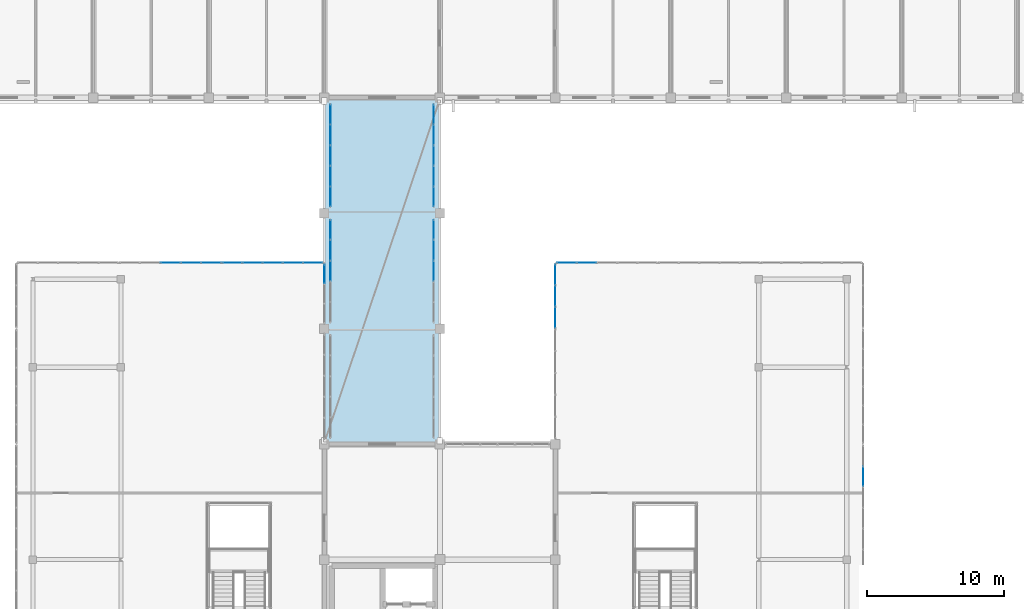
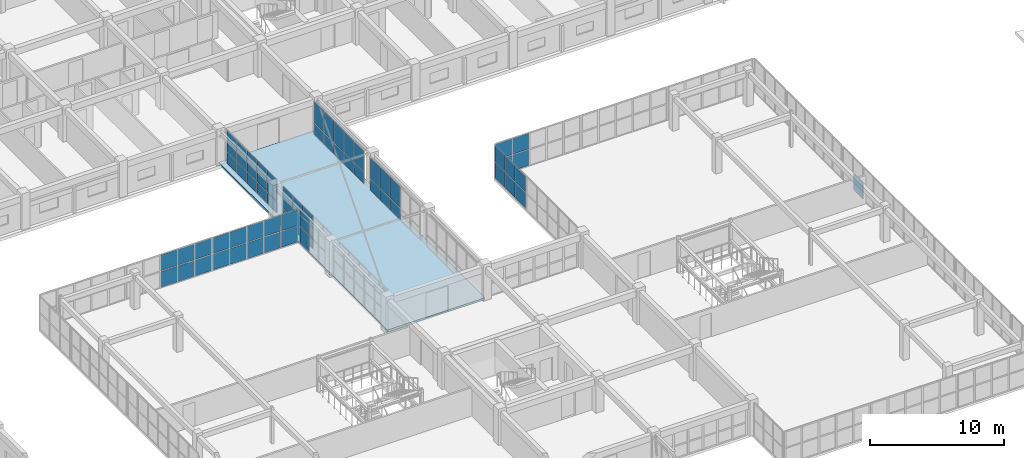
# One storey, part 105 of 148: 61 plates, 1 slab, 10 elements without a shape of their own.
"""IFC4 building model written with IfcOpenShell, lengths in metres."""

from ifc_helpers import new_model, si_unit, direction, frame, origin, origin_2d, place, context, subcontext, project, spatial, polyline, rectangle, outline, extrude, material, layer, layer_set, type_object, element, aggregate, save


model = new_model("IFC4")

# Units and contexts
model_context = context("Model", 3, precision=1e-05, world=origin(), true_north=direction((0.0, 1.0)))
body_context = subcontext(model_context, "Body", "Model", "MODEL_VIEW")
ifc_project = project(units=[si_unit("LENGTHUNIT", "METRE"), si_unit("AREAUNIT", "SQUARE_METRE"), si_unit("VOLUMEUNIT", "CUBIC_METRE"), si_unit("PLANEANGLEUNIT", "RADIAN"), si_unit("MASSUNIT", "GRAM", prefix="KILO")], contexts=[model_context])

# Site, building, storey
site_placement = place(None, origin())
site = spatial("IfcSite", under=ifc_project, at=site_placement, CompositionType="ELEMENT")
building_placement = place(site_placement, origin())
building = spatial("IfcBuilding", under=site, at=building_placement, Name="Trelvath General Hospital", CompositionType="ELEMENT")
storey_placement = place(building_placement, frame((0.0, 0.0, 12.89990234375)))
storey = spatial("IfcBuildingStorey", under=building, at=storey_placement, Name="L03", CompositionType="ELEMENT", Elevation=12.89990234375)

# Slab
ifc_material_1 = material(Name="Concrete C35/45", Category="concrete")
ifc_layer_1 = layer(ifc_material_1, 0.18994140625)
ifc_layer_set_1 = layer_set([ifc_layer_1], Name="Concrete C35/45")
slab_type = type_object("IfcSlabType", Name="BridgeDeck 190", PredefinedType="FLOOR", material=ifc_layer_set_1)
slab_placement = place(storey_placement, frame((0.0, 0.0, -0.18994140625)))
element("IfcSlab", 1, at=slab_placement, inside=storey, type_object=slab_type, Name="Courtyard Bridge Deck BRG-N-C L03", PredefinedType="FLOOR", context=body_context, shape_type="SweptSolid", body=[
    extrude(outline(polyline([(75.60009765625, 67.199951171875), (84.0, 67.199951171875), (84.0, 92.39990234375), (75.60009765625, 92.39990234375), (75.60009765625, 67.199951171875)])), origin(), (0.0, 0.0, 1.0), 0.18994140625),
])

# Curtain wall, plates
ifc_material_2 = material(Name="Anodised aluminium and low-E glass", Category="aluminium")
ifc_layer_2 = layer(ifc_material_2, 0.14990234375)
ifc_layer_set_2 = layer_set([ifc_layer_2], Name="Anodised aluminium and low-E glass")
curtain_wall_type_1 = type_object("IfcCurtainWallType", Name="CW CrystalCube 743 306 15", PredefinedType="USERDEFINED", material=ifc_layer_set_2)
curtain_wall_1_placement = place(storey_placement, origin())
curtain_wall_1 = element("IfcCurtainWall", 2, at=curtain_wall_1_placement, inside=storey, type_object=curtain_wall_type_1, Name="Crystal Cube Curtain Wall CUBE-W-T1 N2 L03", ObjectType="Unitised Glazed Curtain Wall", PredefinedType="USERDEFINED")
ifc_material_3 = material(Name="Low-E laminated glass", Category="glass")
ifc_layer_3 = layer(ifc_material_3, 0.028076171875)
ifc_layer_set_3 = layer_set([ifc_layer_3], Name="Low-E laminated glass")
plate_type = type_object("IfcPlateType", Name="CurtainPanel Glass28", PredefinedType="CURTAIN_PANEL", material=ifc_layer_set_3)
plate_1_placement = place(storey_placement, frame((64.39990234375, 80.39990234375, 0.06005859375), z_axis=(0.0, 0.0, 1.0), x_axis=(1.0, 0.0, 0.0)))
plate_1 = element("IfcPlate", 3, at=plate_1_placement, type_object=plate_type, Name="CW-234 panel 3.1", PredefinedType="CURTAIN_PANEL", context=body_context, shape_type="SweptSolid", body=[
    extrude(rectangle(XDim=1.42529296875, YDim=0.028076171875, at=origin_2d()), origin(), (0.0, 0.0, 1.0), 1.43994140625),
])
plate_2_placement = place(storey_placement, frame((64.39990234375, 80.39990234375, 1.56005859375), z_axis=(0.0, 0.0, 1.0), x_axis=(1.0, 0.0, 0.0)))
plate_2 = element("IfcPlate", 4, at=plate_2_placement, type_object=plate_type, Name="CW-234 panel 3.2", PredefinedType="CURTAIN_PANEL", context=body_context, shape_type="SweptSolid", body=[
    extrude(rectangle(XDim=1.42529296875, YDim=0.028076171875, at=origin_2d()), origin(), (0.0, 0.0, 1.0), 1.43994140625),
])
plate_3_placement = place(storey_placement, frame((65.88525390625, 80.39990234375, 0.06005859375), z_axis=(0.0, 0.0, 1.0), x_axis=(1.0, 0.0, 0.0)))
plate_3 = element("IfcPlate", 5, at=plate_3_placement, type_object=plate_type, Name="CW-234 panel 4.1", PredefinedType="CURTAIN_PANEL", context=body_context, shape_type="SweptSolid", body=[
    extrude(rectangle(XDim=1.42529296875, YDim=0.028076171875, at=origin_2d()), origin(), (0.0, 0.0, 1.0), 1.43994140625),
])
plate_4_placement = place(storey_placement, frame((65.88525390625, 80.39990234375, 1.56005859375), z_axis=(0.0, 0.0, 1.0), x_axis=(1.0, 0.0, 0.0)))
plate_4 = element("IfcPlate", 6, at=plate_4_placement, type_object=plate_type, Name="CW-234 panel 4.2", PredefinedType="CURTAIN_PANEL", context=body_context, shape_type="SweptSolid", body=[
    extrude(rectangle(XDim=1.42529296875, YDim=0.028076171875, at=origin_2d()), origin(), (0.0, 0.0, 1.0), 1.43994140625),
])
plate_5_placement = place(storey_placement, frame((67.355712890625, 80.39990234375, 0.06005859375), z_axis=(0.0, 0.0, 1.0), x_axis=(1.0, 0.0, 0.0)))
plate_5 = element("IfcPlate", 7, at=plate_5_placement, type_object=plate_type, Name="CW-234 panel 5.1", PredefinedType="CURTAIN_PANEL", context=body_context, shape_type="SweptSolid", body=[
    extrude(rectangle(XDim=1.395263671875, YDim=0.028076171875, at=origin_2d()), origin(), (0.0, 0.0, 1.0), 1.43994140625),
])
plate_6_placement = place(storey_placement, frame((67.355712890625, 80.39990234375, 1.56005859375), z_axis=(0.0, 0.0, 1.0), x_axis=(1.0, 0.0, 0.0)))
plate_6 = element("IfcPlate", 8, at=plate_6_placement, type_object=plate_type, Name="CW-234 panel 5.2", PredefinedType="CURTAIN_PANEL", context=body_context, shape_type="SweptSolid", body=[
    extrude(rectangle(XDim=1.395263671875, YDim=0.028076171875, at=origin_2d()), origin(), (0.0, 0.0, 1.0), 1.43994140625),
])
aggregate(curtain_wall_1, [plate_1, plate_2, plate_3, plate_4, plate_5, plate_6])

ifc_material_4 = material(Name="Anodised aluminium and low-E glass", Category="aluminium")
ifc_layer_4 = layer(ifc_material_4, 0.14990234375)
ifc_layer_set_4 = layer_set([ifc_layer_4], Name="Anodised aluminium and low-E glass")
curtain_wall_type_2 = type_object("IfcCurtainWallType", Name="CW CrystalCube 737 306 15", PredefinedType="USERDEFINED", material=ifc_layer_set_4)
curtain_wall_2_placement = place(storey_placement, origin())
curtain_wall_2 = element("IfcCurtainWall", 9, at=curtain_wall_2_placement, inside=storey, type_object=curtain_wall_type_2, Name="Crystal Cube Curtain Wall CUBE-W-T1 N3 L03", ObjectType="Unitised Glazed Curtain Wall", PredefinedType="USERDEFINED")
plate_7_placement = place(storey_placement, frame((68.905029296875, 80.39990234375, 0.06005859375), z_axis=(0.0, 0.0, 1.0), x_axis=(1.0, 0.0, 0.0)))
plate_7 = element("IfcPlate", 10, at=plate_7_placement, type_object=plate_type, Name="CW-235 panel 1.1", PredefinedType="CURTAIN_PANEL", context=body_context, shape_type="SweptSolid", body=[
    extrude(rectangle(XDim=1.38330078125, YDim=0.028076171875, at=origin_2d()), origin(), (0.0, 0.0, 1.0), 1.43994140625),
])
plate_8_placement = place(storey_placement, frame((68.905029296875, 80.39990234375, 1.56005859375), z_axis=(0.0, 0.0, 1.0), x_axis=(1.0, 0.0, 0.0)))
plate_8 = element("IfcPlate", 11, at=plate_8_placement, type_object=plate_type, Name="CW-235 panel 1.2", PredefinedType="CURTAIN_PANEL", context=body_context, shape_type="SweptSolid", body=[
    extrude(rectangle(XDim=1.38330078125, YDim=0.028076171875, at=origin_2d()), origin(), (0.0, 0.0, 1.0), 1.43994140625),
])
plate_9_placement = place(storey_placement, frame((70.36328125, 80.39990234375, 0.06005859375), z_axis=(0.0, 0.0, 1.0), x_axis=(1.0, 0.0, 0.0)))
plate_9 = element("IfcPlate", 12, at=plate_9_placement, type_object=plate_type, Name="CW-235 panel 2.1", PredefinedType="CURTAIN_PANEL", context=body_context, shape_type="SweptSolid", body=[
    extrude(rectangle(XDim=1.413330078125, YDim=0.028076171875, at=origin_2d()), origin(), (0.0, 0.0, 1.0), 1.43994140625),
])
plate_10_placement = place(storey_placement, frame((70.36328125, 80.39990234375, 1.56005859375), z_axis=(0.0, 0.0, 1.0), x_axis=(1.0, 0.0, 0.0)))
plate_10 = element("IfcPlate", 13, at=plate_10_placement, type_object=plate_type, Name="CW-235 panel 2.2", PredefinedType="CURTAIN_PANEL", context=body_context, shape_type="SweptSolid", body=[
    extrude(rectangle(XDim=1.413330078125, YDim=0.028076171875, at=origin_2d()), origin(), (0.0, 0.0, 1.0), 1.43994140625),
])
plate_11_placement = place(storey_placement, frame((71.836669921875, 80.39990234375, 0.06005859375), z_axis=(0.0, 0.0, 1.0), x_axis=(1.0, 0.0, 0.0)))
plate_11 = element("IfcPlate", 14, at=plate_11_placement, type_object=plate_type, Name="CW-235 panel 3.1", PredefinedType="CURTAIN_PANEL", context=body_context, shape_type="SweptSolid", body=[
    extrude(rectangle(XDim=1.413330078125, YDim=0.028076171875, at=origin_2d()), origin(), (0.0, 0.0, 1.0), 1.43994140625),
])
plate_12_placement = place(storey_placement, frame((71.836669921875, 80.39990234375, 1.56005859375), z_axis=(0.0, 0.0, 1.0), x_axis=(1.0, 0.0, 0.0)))
plate_12 = element("IfcPlate", 15, at=plate_12_placement, type_object=plate_type, Name="CW-235 panel 3.2", PredefinedType="CURTAIN_PANEL", context=body_context, shape_type="SweptSolid", body=[
    extrude(rectangle(XDim=1.413330078125, YDim=0.028076171875, at=origin_2d()), origin(), (0.0, 0.0, 1.0), 1.43994140625),
])
plate_13_placement = place(storey_placement, frame((73.31005859375, 80.39990234375, 0.06005859375), z_axis=(0.0, 0.0, 1.0), x_axis=(1.0, 0.0, 0.0)))
plate_13 = element("IfcPlate", 16, at=plate_13_placement, type_object=plate_type, Name="CW-235 panel 4.1", PredefinedType="CURTAIN_PANEL", context=body_context, shape_type="SweptSolid", body=[
    extrude(rectangle(XDim=1.413330078125, YDim=0.028076171875, at=origin_2d()), origin(), (0.0, 0.0, 1.0), 1.43994140625),
])
plate_14_placement = place(storey_placement, frame((73.31005859375, 80.39990234375, 1.56005859375), z_axis=(0.0, 0.0, 1.0), x_axis=(1.0, 0.0, 0.0)))
plate_14 = element("IfcPlate", 17, at=plate_14_placement, type_object=plate_type, Name="CW-235 panel 4.2", PredefinedType="CURTAIN_PANEL", context=body_context, shape_type="SweptSolid", body=[
    extrude(rectangle(XDim=1.413330078125, YDim=0.028076171875, at=origin_2d()), origin(), (0.0, 0.0, 1.0), 1.43994140625),
])
plate_15_placement = place(storey_placement, frame((74.768310546875, 80.39990234375, 0.06005859375), z_axis=(0.0, 0.0, 1.0), x_axis=(1.0, 0.0, 0.0)))
plate_15 = element("IfcPlate", 18, at=plate_15_placement, type_object=plate_type, Name="CW-235 panel 5.1", PredefinedType="CURTAIN_PANEL", context=body_context, shape_type="SweptSolid", body=[
    extrude(rectangle(XDim=1.38330078125, YDim=0.028076171875, at=origin_2d()), origin(), (0.0, 0.0, 1.0), 1.43994140625),
])
plate_16_placement = place(storey_placement, frame((74.768310546875, 80.39990234375, 1.56005859375), z_axis=(0.0, 0.0, 1.0), x_axis=(1.0, 0.0, 0.0)))
plate_16 = element("IfcPlate", 19, at=plate_16_placement, type_object=plate_type, Name="CW-235 panel 5.2", PredefinedType="CURTAIN_PANEL", context=body_context, shape_type="SweptSolid", body=[
    extrude(rectangle(XDim=1.38330078125, YDim=0.028076171875, at=origin_2d()), origin(), (0.0, 0.0, 1.0), 1.43994140625),
])
aggregate(curtain_wall_2, [plate_7, plate_8, plate_9, plate_10, plate_11, plate_12, plate_13, plate_14, plate_15, plate_16])

ifc_material_5 = material(Name="Anodised aluminium and low-E glass", Category="aluminium")
ifc_layer_5 = layer(ifc_material_5, 0.14990234375)
ifc_layer_set_5 = layer_set([ifc_layer_5], Name="Anodised aluminium and low-E glass")
curtain_wall_type_3 = type_object("IfcCurtainWallType", Name="CW CrystalCube 434 306 15", PredefinedType="USERDEFINED", material=ifc_layer_set_5)
curtain_wall_3_placement = place(storey_placement, origin())
curtain_wall_3 = element("IfcCurtainWall", 20, at=curtain_wall_3_placement, inside=storey, type_object=curtain_wall_type_3, Name="Crystal Cube Curtain Wall CUBE-W-T1 E5 L03", ObjectType="Unitised Glazed Curtain Wall", PredefinedType="USERDEFINED")
plate_17_placement = place(storey_placement, frame((75.60009765625, 79.581787109375, 0.06005859375), z_axis=(0.0, 0.0, 1.0), x_axis=(0.0, -1.0, 0.0)))
plate_17 = element("IfcPlate", 21, at=plate_17_placement, type_object=plate_type, Name="CW-243 panel 1.1", PredefinedType="CURTAIN_PANEL", context=body_context, shape_type="SweptSolid", body=[
    extrude(rectangle(XDim=1.356689453125, YDim=0.028076171875, at=origin_2d()), origin(), (0.0, 0.0, 1.0), 1.43994140625),
])
plate_18_placement = place(storey_placement, frame((75.60009765625, 79.581787109375, 1.56005859375), z_axis=(0.0, 0.0, 1.0), x_axis=(0.0, -1.0, 0.0)))
plate_18 = element("IfcPlate", 22, at=plate_18_placement, type_object=plate_type, Name="CW-243 panel 1.2", PredefinedType="CURTAIN_PANEL", context=body_context, shape_type="SweptSolid", body=[
    extrude(rectangle(XDim=1.356689453125, YDim=0.028076171875, at=origin_2d()), origin(), (0.0, 0.0, 1.0), 1.43994140625),
])
aggregate(curtain_wall_3, [plate_17, plate_18])

curtain_wall_4_placement = place(storey_placement, origin())
curtain_wall_4 = element("IfcCurtainWall", 23, at=curtain_wall_4_placement, inside=storey, type_object=curtain_wall_type_2, Name="Crystal Cube Curtain Wall CUBE-E-T1 N1 L03", ObjectType="Unitised Glazed Curtain Wall", PredefinedType="USERDEFINED")
plate_19_placement = place(storey_placement, frame((93.231689453125, 80.39990234375, 0.06005859375), z_axis=(0.0, 0.0, 1.0), x_axis=(1.0, 0.0, 0.0)))
plate_19 = element("IfcPlate", 24, at=plate_19_placement, type_object=plate_type, Name="CW-247 panel 1.1", PredefinedType="CURTAIN_PANEL", context=body_context, shape_type="SweptSolid", body=[
    extrude(rectangle(XDim=1.38330078125, YDim=0.028076171875, at=origin_2d()), origin(), (0.0, 0.0, 1.0), 1.43994140625),
])
plate_20_placement = place(storey_placement, frame((93.231689453125, 80.39990234375, 1.56005859375), z_axis=(0.0, 0.0, 1.0), x_axis=(1.0, 0.0, 0.0)))
plate_20 = element("IfcPlate", 25, at=plate_20_placement, type_object=plate_type, Name="CW-247 panel 1.2", PredefinedType="CURTAIN_PANEL", context=body_context, shape_type="SweptSolid", body=[
    extrude(rectangle(XDim=1.38330078125, YDim=0.028076171875, at=origin_2d()), origin(), (0.0, 0.0, 1.0), 1.43994140625),
])
plate_21_placement = place(storey_placement, frame((94.68994140625, 80.39990234375, 0.06005859375), z_axis=(0.0, 0.0, 1.0), x_axis=(1.0, 0.0, 0.0)))
plate_21 = element("IfcPlate", 26, at=plate_21_placement, type_object=plate_type, Name="CW-247 panel 2.1", PredefinedType="CURTAIN_PANEL", context=body_context, shape_type="SweptSolid", body=[
    extrude(rectangle(XDim=1.413330078125, YDim=0.028076171875, at=origin_2d()), origin(), (0.0, 0.0, 1.0), 1.43994140625),
])
plate_22_placement = place(storey_placement, frame((94.68994140625, 80.39990234375, 1.56005859375), z_axis=(0.0, 0.0, 1.0), x_axis=(1.0, 0.0, 0.0)))
plate_22 = element("IfcPlate", 27, at=plate_22_placement, type_object=plate_type, Name="CW-247 panel 2.2", PredefinedType="CURTAIN_PANEL", context=body_context, shape_type="SweptSolid", body=[
    extrude(rectangle(XDim=1.413330078125, YDim=0.028076171875, at=origin_2d()), origin(), (0.0, 0.0, 1.0), 1.43994140625),
])
aggregate(curtain_wall_4, [plate_19, plate_20, plate_21, plate_22])

# Curtain wall, plate
ifc_material_6 = material(Name="Anodised aluminium and low-E glass", Category="aluminium")
ifc_layer_6 = layer(ifc_material_6, 0.14990234375)
ifc_layer_set_6 = layer_set([ifc_layer_6], Name="Anodised aluminium and low-E glass")
curtain_wall_type_4 = type_object("IfcCurtainWallType", Name="CW CrystalCube 1664 306 15", PredefinedType="USERDEFINED", material=ifc_layer_set_6)
curtain_wall_5_placement = place(storey_placement, origin())
curtain_wall_5 = element("IfcCurtainWall", 28, at=curtain_wall_5_placement, inside=storey, type_object=curtain_wall_type_4, Name="Crystal Cube Curtain Wall CUBE-E-T1 E3 L03", ObjectType="Unitised Glazed Curtain Wall", PredefinedType="USERDEFINED")
plate_23_placement = place(storey_placement, frame((114.800048828125, 64.850830078125, 0.06005859375), z_axis=(0.0, 0.0, 1.0), x_axis=(0.0, -1.0, 0.0)))
plate_23 = element("IfcPlate", 29, at=plate_23_placement, type_object=plate_type, Name="CW-253 panel 2.1", PredefinedType="CURTAIN_PANEL", context=body_context, shape_type="SweptSolid", body=[
    extrude(rectangle(XDim=1.45263671875, YDim=0.028076171875, at=origin_2d()), origin(), (0.0, 0.0, 1.0), 1.43994140625),
])
aggregate(curtain_wall_5, [plate_23])

# Curtain wall, plates
ifc_material_7 = material(Name="Anodised aluminium and low-E glass", Category="aluminium")
ifc_layer_7 = layer(ifc_material_7, 0.14990234375)
ifc_layer_set_7 = layer_set([ifc_layer_7], Name="Anodised aluminium and low-E glass")
curtain_wall_type_5 = type_object("IfcCurtainWallType", Name="CW CrystalCube 470 306 15", PredefinedType="USERDEFINED", material=ifc_layer_set_7)
curtain_wall_6_placement = place(storey_placement, origin())
curtain_wall_6 = element("IfcCurtainWall", 30, at=curtain_wall_6_placement, inside=storey, type_object=curtain_wall_type_5, Name="Crystal Cube Curtain Wall CUBE-E-T1 W5 L03", ObjectType="Unitised Glazed Curtain Wall", PredefinedType="USERDEFINED")
plate_24_placement = place(storey_placement, frame((92.39990234375, 76.418212890625, 0.06005859375), z_axis=(0.0, 0.0, 1.0), x_axis=(0.0, 1.0, 0.0)))
plate_24 = element("IfcPlate", 31, at=plate_24_placement, type_object=plate_type, Name="CW-257 panel 1.1", PredefinedType="CURTAIN_PANEL", context=body_context, shape_type="SweptSolid", body=[
    extrude(rectangle(XDim=1.4765625, YDim=0.028076171875, at=origin_2d()), origin(), (0.0, 0.0, 1.0), 1.43994140625),
])
plate_25_placement = place(storey_placement, frame((92.39990234375, 76.418212890625, 1.56005859375), z_axis=(0.0, 0.0, 1.0), x_axis=(0.0, 1.0, 0.0)))
plate_25 = element("IfcPlate", 32, at=plate_25_placement, type_object=plate_type, Name="CW-257 panel 1.2", PredefinedType="CURTAIN_PANEL", context=body_context, shape_type="SweptSolid", body=[
    extrude(rectangle(XDim=1.4765625, YDim=0.028076171875, at=origin_2d()), origin(), (0.0, 0.0, 1.0), 1.43994140625),
])
plate_26_placement = place(storey_placement, frame((92.39990234375, 77.969970703125, 0.06005859375), z_axis=(0.0, 0.0, 1.0), x_axis=(0.0, 1.0, 0.0)))
plate_26 = element("IfcPlate", 33, at=plate_26_placement, type_object=plate_type, Name="CW-257 panel 2.1", PredefinedType="CURTAIN_PANEL", context=body_context, shape_type="SweptSolid", body=[
    extrude(rectangle(XDim=1.506591796875, YDim=0.028076171875, at=origin_2d()), origin(), (0.0, 0.0, 1.0), 1.43994140625),
])
plate_27_placement = place(storey_placement, frame((92.39990234375, 77.969970703125, 1.56005859375), z_axis=(0.0, 0.0, 1.0), x_axis=(0.0, 1.0, 0.0)))
plate_27 = element("IfcPlate", 34, at=plate_27_placement, type_object=plate_type, Name="CW-257 panel 2.2", PredefinedType="CURTAIN_PANEL", context=body_context, shape_type="SweptSolid", body=[
    extrude(rectangle(XDim=1.506591796875, YDim=0.028076171875, at=origin_2d()), origin(), (0.0, 0.0, 1.0), 1.43994140625),
])
plate_28_placement = place(storey_placement, frame((92.39990234375, 79.521728515625, 0.06005859375), z_axis=(0.0, 0.0, 1.0), x_axis=(0.0, 1.0, 0.0)))
plate_28 = element("IfcPlate", 35, at=plate_28_placement, type_object=plate_type, Name="CW-257 panel 3.1", PredefinedType="CURTAIN_PANEL", context=body_context, shape_type="SweptSolid", body=[
    extrude(rectangle(XDim=1.4765625, YDim=0.028076171875, at=origin_2d()), origin(), (0.0, 0.0, 1.0), 1.43994140625),
])
plate_29_placement = place(storey_placement, frame((92.39990234375, 79.521728515625, 1.56005859375), z_axis=(0.0, 0.0, 1.0), x_axis=(0.0, 1.0, 0.0)))
plate_29 = element("IfcPlate", 36, at=plate_29_placement, type_object=plate_type, Name="CW-257 panel 3.2", PredefinedType="CURTAIN_PANEL", context=body_context, shape_type="SweptSolid", body=[
    extrude(rectangle(XDim=1.4765625, YDim=0.028076171875, at=origin_2d()), origin(), (0.0, 0.0, 1.0), 1.43994140625),
])
aggregate(curtain_wall_6, [plate_24, plate_25, plate_26, plate_27, plate_28, plate_29])

ifc_material_8 = material(Name="Anodised aluminium and low-E glass", Category="aluminium")
ifc_layer_8 = layer(ifc_material_8, 0.139892578125)
ifc_layer_set_8 = layer_set([ifc_layer_8], Name="Anodised aluminium and low-E glass")
curtain_wall_type_6 = type_object("IfcCurtainWallType", Name="CW Bridge 752 311", PredefinedType="USERDEFINED", material=ifc_layer_set_8)
curtain_wall_7_placement = place(storey_placement, origin())
curtain_wall_7 = element("IfcCurtainWall", 37, at=curtain_wall_7_placement, inside=storey, type_object=curtain_wall_type_6, Name="Glazed Bridge Curtain Wall BRG-N-C W L03", ObjectType="Unitised Glazed Curtain Wall", PredefinedType="USERDEFINED")
plate_30_placement = place(storey_placement, frame((76.0400390625, 79.800048828125, 0.06005859375), z_axis=(0.0, 0.0, 1.0), x_axis=(0.0, 1.0, 0.0)))
plate_30 = element("IfcPlate", 38, at=plate_30_placement, type_object=plate_type, Name="CW-260 panel 3.1", PredefinedType="CURTAIN_PANEL", context=body_context, shape_type="SweptSolid", body=[
    extrude(rectangle(XDim=1.444091796875, YDim=0.028076171875, at=origin_2d()), origin(), (0.0, 0.0, 1.0), 1.010009765625),
])
plate_31_placement = place(storey_placement, frame((76.0400390625, 79.800048828125, 1.130126953125), z_axis=(0.0, 0.0, 1.0), x_axis=(0.0, 1.0, 0.0)))
plate_31 = element("IfcPlate", 39, at=plate_31_placement, type_object=plate_type, Name="CW-260 panel 3.2", PredefinedType="CURTAIN_PANEL", context=body_context, shape_type="SweptSolid", body=[
    extrude(rectangle(XDim=1.444091796875, YDim=0.028076171875, at=origin_2d()), origin(), (0.0, 0.0, 1.0), 1.919921875),
])
plate_32_placement = place(storey_placement, frame((76.0400390625, 81.303955078125, 0.06005859375), z_axis=(0.0, 0.0, 1.0), x_axis=(0.0, 1.0, 0.0)))
plate_32 = element("IfcPlate", 40, at=plate_32_placement, type_object=plate_type, Name="CW-260 panel 4.1", PredefinedType="CURTAIN_PANEL", context=body_context, shape_type="SweptSolid", body=[
    extrude(rectangle(XDim=1.444091796875, YDim=0.028076171875, at=origin_2d()), origin(), (0.0, 0.0, 1.0), 1.010009765625),
])
plate_33_placement = place(storey_placement, frame((76.0400390625, 81.303955078125, 1.130126953125), z_axis=(0.0, 0.0, 1.0), x_axis=(0.0, 1.0, 0.0)))
plate_33 = element("IfcPlate", 41, at=plate_33_placement, type_object=plate_type, Name="CW-260 panel 4.2", PredefinedType="CURTAIN_PANEL", context=body_context, shape_type="SweptSolid", body=[
    extrude(rectangle(XDim=1.444091796875, YDim=0.028076171875, at=origin_2d()), origin(), (0.0, 0.0, 1.0), 1.919921875),
])
plate_34_placement = place(storey_placement, frame((76.0400390625, 82.79296875, 0.06005859375), z_axis=(0.0, 0.0, 1.0), x_axis=(0.0, 1.0, 0.0)))
plate_34 = element("IfcPlate", 42, at=plate_34_placement, type_object=plate_type, Name="CW-260 panel 5.1", PredefinedType="CURTAIN_PANEL", context=body_context, shape_type="SweptSolid", body=[
    extrude(rectangle(XDim=1.4140625, YDim=0.028076171875, at=origin_2d()), origin(), (0.0, 0.0, 1.0), 1.010009765625),
])
plate_35_placement = place(storey_placement, frame((76.0400390625, 82.79296875, 1.130126953125), z_axis=(0.0, 0.0, 1.0), x_axis=(0.0, 1.0, 0.0)))
plate_35 = element("IfcPlate", 43, at=plate_35_placement, type_object=plate_type, Name="CW-260 panel 5.2", PredefinedType="CURTAIN_PANEL", context=body_context, shape_type="SweptSolid", body=[
    extrude(rectangle(XDim=1.4140625, YDim=0.028076171875, at=origin_2d()), origin(), (0.0, 0.0, 1.0), 1.919921875),
])
aggregate(curtain_wall_7, [plate_30, plate_31, plate_32, plate_33, plate_34, plate_35])

curtain_wall_8_placement = place(storey_placement, origin())
curtain_wall_8 = element("IfcCurtainWall", 44, at=curtain_wall_8_placement, inside=storey, type_object=curtain_wall_type_6, Name="Glazed Bridge Curtain Wall BRG-N-C E L03", ObjectType="Unitised Glazed Curtain Wall", PredefinedType="USERDEFINED")
plate_36_placement = place(storey_placement, frame((83.56005859375, 82.79296875, 0.06005859375), z_axis=(0.0, 0.0, 1.0), x_axis=(0.0, -1.0, 0.0)))
plate_36 = element("IfcPlate", 45, at=plate_36_placement, type_object=plate_type, Name="CW-261 panel 1.1", PredefinedType="CURTAIN_PANEL", context=body_context, shape_type="SweptSolid", body=[
    extrude(rectangle(XDim=1.4140625, YDim=0.028076171875, at=origin_2d()), origin(), (0.0, 0.0, 1.0), 1.010009765625),
])
plate_37_placement = place(storey_placement, frame((83.56005859375, 82.79296875, 1.130126953125), z_axis=(0.0, 0.0, 1.0), x_axis=(0.0, -1.0, 0.0)))
plate_37 = element("IfcPlate", 46, at=plate_37_placement, type_object=plate_type, Name="CW-261 panel 1.2", PredefinedType="CURTAIN_PANEL", context=body_context, shape_type="SweptSolid", body=[
    extrude(rectangle(XDim=1.4140625, YDim=0.028076171875, at=origin_2d()), origin(), (0.0, 0.0, 1.0), 1.919921875),
])
plate_38_placement = place(storey_placement, frame((83.56005859375, 81.303955078125, 0.06005859375), z_axis=(0.0, 0.0, 1.0), x_axis=(0.0, -1.0, 0.0)))
plate_38 = element("IfcPlate", 47, at=plate_38_placement, type_object=plate_type, Name="CW-261 panel 2.1", PredefinedType="CURTAIN_PANEL", context=body_context, shape_type="SweptSolid", body=[
    extrude(rectangle(XDim=1.444091796875, YDim=0.028076171875, at=origin_2d()), origin(), (0.0, 0.0, 1.0), 1.010009765625),
])
plate_39_placement = place(storey_placement, frame((83.56005859375, 81.303955078125, 1.130126953125), z_axis=(0.0, 0.0, 1.0), x_axis=(0.0, -1.0, 0.0)))
plate_39 = element("IfcPlate", 48, at=plate_39_placement, type_object=plate_type, Name="CW-261 panel 2.2", PredefinedType="CURTAIN_PANEL", context=body_context, shape_type="SweptSolid", body=[
    extrude(rectangle(XDim=1.444091796875, YDim=0.028076171875, at=origin_2d()), origin(), (0.0, 0.0, 1.0), 1.919921875),
])
plate_40_placement = place(storey_placement, frame((83.56005859375, 79.800048828125, 0.06005859375), z_axis=(0.0, 0.0, 1.0), x_axis=(0.0, -1.0, 0.0)))
plate_40 = element("IfcPlate", 49, at=plate_40_placement, type_object=plate_type, Name="CW-261 panel 3.1", PredefinedType="CURTAIN_PANEL", context=body_context, shape_type="SweptSolid", body=[
    extrude(rectangle(XDim=1.444091796875, YDim=0.028076171875, at=origin_2d()), origin(), (0.0, 0.0, 1.0), 1.010009765625),
])
plate_41_placement = place(storey_placement, frame((83.56005859375, 79.800048828125, 1.130126953125), z_axis=(0.0, 0.0, 1.0), x_axis=(0.0, -1.0, 0.0)))
plate_41 = element("IfcPlate", 50, at=plate_41_placement, type_object=plate_type, Name="CW-261 panel 3.2", PredefinedType="CURTAIN_PANEL", context=body_context, shape_type="SweptSolid", body=[
    extrude(rectangle(XDim=1.444091796875, YDim=0.028076171875, at=origin_2d()), origin(), (0.0, 0.0, 1.0), 1.919921875),
])
aggregate(curtain_wall_8, [plate_36, plate_37, plate_38, plate_39, plate_40, plate_41])

curtain_wall_9_placement = place(storey_placement, origin())
curtain_wall_9 = element("IfcCurtainWall", 51, at=curtain_wall_9_placement, inside=storey, type_object=curtain_wall_type_6, Name="Glazed Bridge Curtain Wall BRG-N-C W L03", ObjectType="Unitised Glazed Curtain Wall", PredefinedType="USERDEFINED")
plate_42_placement = place(storey_placement, frame((76.0400390625, 85.20703125, 0.06005859375), z_axis=(0.0, 0.0, 1.0), x_axis=(0.0, 1.0, 0.0)))
plate_42 = element("IfcPlate", 52, at=plate_42_placement, type_object=plate_type, Name="CW-262 panel 1.1", PredefinedType="CURTAIN_PANEL", context=body_context, shape_type="SweptSolid", body=[
    extrude(rectangle(XDim=1.4140625, YDim=0.028076171875, at=origin_2d()), origin(), (0.0, 0.0, 1.0), 1.010009765625),
])
plate_43_placement = place(storey_placement, frame((76.0400390625, 85.20703125, 1.130126953125), z_axis=(0.0, 0.0, 1.0), x_axis=(0.0, 1.0, 0.0)))
plate_43 = element("IfcPlate", 53, at=plate_43_placement, type_object=plate_type, Name="CW-262 panel 1.2", PredefinedType="CURTAIN_PANEL", context=body_context, shape_type="SweptSolid", body=[
    extrude(rectangle(XDim=1.4140625, YDim=0.028076171875, at=origin_2d()), origin(), (0.0, 0.0, 1.0), 1.919921875),
])
plate_44_placement = place(storey_placement, frame((76.0400390625, 86.696044921875, 0.06005859375), z_axis=(0.0, 0.0, 1.0), x_axis=(0.0, 1.0, 0.0)))
plate_44 = element("IfcPlate", 54, at=plate_44_placement, type_object=plate_type, Name="CW-262 panel 2.1", PredefinedType="CURTAIN_PANEL", context=body_context, shape_type="SweptSolid", body=[
    extrude(rectangle(XDim=1.444091796875, YDim=0.028076171875, at=origin_2d()), origin(), (0.0, 0.0, 1.0), 1.010009765625),
])
plate_45_placement = place(storey_placement, frame((76.0400390625, 86.696044921875, 1.130126953125), z_axis=(0.0, 0.0, 1.0), x_axis=(0.0, 1.0, 0.0)))
plate_45 = element("IfcPlate", 55, at=plate_45_placement, type_object=plate_type, Name="CW-262 panel 2.2", PredefinedType="CURTAIN_PANEL", context=body_context, shape_type="SweptSolid", body=[
    extrude(rectangle(XDim=1.444091796875, YDim=0.028076171875, at=origin_2d()), origin(), (0.0, 0.0, 1.0), 1.919921875),
])
plate_46_placement = place(storey_placement, frame((76.0400390625, 88.199951171875, 0.06005859375), z_axis=(0.0, 0.0, 1.0), x_axis=(0.0, 1.0, 0.0)))
plate_46 = element("IfcPlate", 56, at=plate_46_placement, type_object=plate_type, Name="CW-262 panel 3.1", PredefinedType="CURTAIN_PANEL", context=body_context, shape_type="SweptSolid", body=[
    extrude(rectangle(XDim=1.444091796875, YDim=0.028076171875, at=origin_2d()), origin(), (0.0, 0.0, 1.0), 1.010009765625),
])
plate_47_placement = place(storey_placement, frame((76.0400390625, 88.199951171875, 1.130126953125), z_axis=(0.0, 0.0, 1.0), x_axis=(0.0, 1.0, 0.0)))
plate_47 = element("IfcPlate", 57, at=plate_47_placement, type_object=plate_type, Name="CW-262 panel 3.2", PredefinedType="CURTAIN_PANEL", context=body_context, shape_type="SweptSolid", body=[
    extrude(rectangle(XDim=1.444091796875, YDim=0.028076171875, at=origin_2d()), origin(), (0.0, 0.0, 1.0), 1.919921875),
])
plate_48_placement = place(storey_placement, frame((76.0400390625, 89.7041015625, 0.06005859375), z_axis=(0.0, 0.0, 1.0), x_axis=(0.0, 1.0, 0.0)))
plate_48 = element("IfcPlate", 58, at=plate_48_placement, type_object=plate_type, Name="CW-262 panel 4.1", PredefinedType="CURTAIN_PANEL", context=body_context, shape_type="SweptSolid", body=[
    extrude(rectangle(XDim=1.444091796875, YDim=0.028076171875, at=origin_2d()), origin(), (0.0, 0.0, 1.0), 1.010009765625),
])
plate_49_placement = place(storey_placement, frame((76.0400390625, 89.7041015625, 1.130126953125), z_axis=(0.0, 0.0, 1.0), x_axis=(0.0, 1.0, 0.0)))
plate_49 = element("IfcPlate", 59, at=plate_49_placement, type_object=plate_type, Name="CW-262 panel 4.2", PredefinedType="CURTAIN_PANEL", context=body_context, shape_type="SweptSolid", body=[
    extrude(rectangle(XDim=1.444091796875, YDim=0.028076171875, at=origin_2d()), origin(), (0.0, 0.0, 1.0), 1.919921875),
])
plate_50_placement = place(storey_placement, frame((76.0400390625, 91.193115234375, 0.06005859375), z_axis=(0.0, 0.0, 1.0), x_axis=(0.0, 1.0, 0.0)))
plate_50 = element("IfcPlate", 60, at=plate_50_placement, type_object=plate_type, Name="CW-262 panel 5.1", PredefinedType="CURTAIN_PANEL", context=body_context, shape_type="SweptSolid", body=[
    extrude(rectangle(XDim=1.4140625, YDim=0.028076171875, at=origin_2d()), origin(), (0.0, 0.0, 1.0), 1.010009765625),
])
plate_51_placement = place(storey_placement, frame((76.0400390625, 91.193115234375, 1.130126953125), z_axis=(0.0, 0.0, 1.0), x_axis=(0.0, 1.0, 0.0)))
plate_51 = element("IfcPlate", 61, at=plate_51_placement, type_object=plate_type, Name="CW-262 panel 5.2", PredefinedType="CURTAIN_PANEL", context=body_context, shape_type="SweptSolid", body=[
    extrude(rectangle(XDim=1.4140625, YDim=0.028076171875, at=origin_2d()), origin(), (0.0, 0.0, 1.0), 1.919921875),
])
aggregate(curtain_wall_9, [plate_42, plate_43, plate_44, plate_45, plate_46, plate_47, plate_48, plate_49, plate_50, plate_51])

curtain_wall_10_placement = place(storey_placement, origin())
curtain_wall_10 = element("IfcCurtainWall", 62, at=curtain_wall_10_placement, inside=storey, type_object=curtain_wall_type_6, Name="Glazed Bridge Curtain Wall BRG-N-C E L03", ObjectType="Unitised Glazed Curtain Wall", PredefinedType="USERDEFINED")
plate_52_placement = place(storey_placement, frame((83.56005859375, 91.193115234375, 0.06005859375), z_axis=(0.0, 0.0, 1.0), x_axis=(0.0, -1.0, 0.0)))
plate_52 = element("IfcPlate", 63, at=plate_52_placement, type_object=plate_type, Name="CW-263 panel 1.1", PredefinedType="CURTAIN_PANEL", context=body_context, shape_type="SweptSolid", body=[
    extrude(rectangle(XDim=1.4140625, YDim=0.028076171875, at=origin_2d()), origin(), (0.0, 0.0, 1.0), 1.010009765625),
])
plate_53_placement = place(storey_placement, frame((83.56005859375, 91.193115234375, 1.130126953125), z_axis=(0.0, 0.0, 1.0), x_axis=(0.0, -1.0, 0.0)))
plate_53 = element("IfcPlate", 64, at=plate_53_placement, type_object=plate_type, Name="CW-263 panel 1.2", PredefinedType="CURTAIN_PANEL", context=body_context, shape_type="SweptSolid", body=[
    extrude(rectangle(XDim=1.4140625, YDim=0.028076171875, at=origin_2d()), origin(), (0.0, 0.0, 1.0), 1.919921875),
])
plate_54_placement = place(storey_placement, frame((83.56005859375, 89.7041015625, 0.06005859375), z_axis=(0.0, 0.0, 1.0), x_axis=(0.0, -1.0, 0.0)))
plate_54 = element("IfcPlate", 65, at=plate_54_placement, type_object=plate_type, Name="CW-263 panel 2.1", PredefinedType="CURTAIN_PANEL", context=body_context, shape_type="SweptSolid", body=[
    extrude(rectangle(XDim=1.444091796875, YDim=0.028076171875, at=origin_2d()), origin(), (0.0, 0.0, 1.0), 1.010009765625),
])
plate_55_placement = place(storey_placement, frame((83.56005859375, 89.7041015625, 1.130126953125), z_axis=(0.0, 0.0, 1.0), x_axis=(0.0, -1.0, 0.0)))
plate_55 = element("IfcPlate", 66, at=plate_55_placement, type_object=plate_type, Name="CW-263 panel 2.2", PredefinedType="CURTAIN_PANEL", context=body_context, shape_type="SweptSolid", body=[
    extrude(rectangle(XDim=1.444091796875, YDim=0.028076171875, at=origin_2d()), origin(), (0.0, 0.0, 1.0), 1.919921875),
])
plate_56_placement = place(storey_placement, frame((83.56005859375, 88.199951171875, 0.06005859375), z_axis=(0.0, 0.0, 1.0), x_axis=(0.0, -1.0, 0.0)))
plate_56 = element("IfcPlate", 67, at=plate_56_placement, type_object=plate_type, Name="CW-263 panel 3.1", PredefinedType="CURTAIN_PANEL", context=body_context, shape_type="SweptSolid", body=[
    extrude(rectangle(XDim=1.444091796875, YDim=0.028076171875, at=origin_2d()), origin(), (0.0, 0.0, 1.0), 1.010009765625),
])
plate_57_placement = place(storey_placement, frame((83.56005859375, 88.199951171875, 1.130126953125), z_axis=(0.0, 0.0, 1.0), x_axis=(0.0, -1.0, 0.0)))
plate_57 = element("IfcPlate", 68, at=plate_57_placement, type_object=plate_type, Name="CW-263 panel 3.2", PredefinedType="CURTAIN_PANEL", context=body_context, shape_type="SweptSolid", body=[
    extrude(rectangle(XDim=1.444091796875, YDim=0.028076171875, at=origin_2d()), origin(), (0.0, 0.0, 1.0), 1.919921875),
])
plate_58_placement = place(storey_placement, frame((83.56005859375, 86.696044921875, 0.06005859375), z_axis=(0.0, 0.0, 1.0), x_axis=(0.0, -1.0, 0.0)))
plate_58 = element("IfcPlate", 69, at=plate_58_placement, type_object=plate_type, Name="CW-263 panel 4.1", PredefinedType="CURTAIN_PANEL", context=body_context, shape_type="SweptSolid", body=[
    extrude(rectangle(XDim=1.444091796875, YDim=0.028076171875, at=origin_2d()), origin(), (0.0, 0.0, 1.0), 1.010009765625),
])
plate_59_placement = place(storey_placement, frame((83.56005859375, 86.696044921875, 1.130126953125), z_axis=(0.0, 0.0, 1.0), x_axis=(0.0, -1.0, 0.0)))
plate_59 = element("IfcPlate", 70, at=plate_59_placement, type_object=plate_type, Name="CW-263 panel 4.2", PredefinedType="CURTAIN_PANEL", context=body_context, shape_type="SweptSolid", body=[
    extrude(rectangle(XDim=1.444091796875, YDim=0.028076171875, at=origin_2d()), origin(), (0.0, 0.0, 1.0), 1.919921875),
])
plate_60_placement = place(storey_placement, frame((83.56005859375, 85.20703125, 0.06005859375), z_axis=(0.0, 0.0, 1.0), x_axis=(0.0, -1.0, 0.0)))
plate_60 = element("IfcPlate", 71, at=plate_60_placement, type_object=plate_type, Name="CW-263 panel 5.1", PredefinedType="CURTAIN_PANEL", context=body_context, shape_type="SweptSolid", body=[
    extrude(rectangle(XDim=1.4140625, YDim=0.028076171875, at=origin_2d()), origin(), (0.0, 0.0, 1.0), 1.010009765625),
])
plate_61_placement = place(storey_placement, frame((83.56005859375, 85.20703125, 1.130126953125), z_axis=(0.0, 0.0, 1.0), x_axis=(0.0, -1.0, 0.0)))
plate_61 = element("IfcPlate", 72, at=plate_61_placement, type_object=plate_type, Name="CW-263 panel 5.2", PredefinedType="CURTAIN_PANEL", context=body_context, shape_type="SweptSolid", body=[
    extrude(rectangle(XDim=1.4140625, YDim=0.028076171875, at=origin_2d()), origin(), (0.0, 0.0, 1.0), 1.919921875),
])
aggregate(curtain_wall_10, [plate_52, plate_53, plate_54, plate_55, plate_56, plate_57, plate_58, plate_59, plate_60, plate_61])

save(model, "model.ifc")
